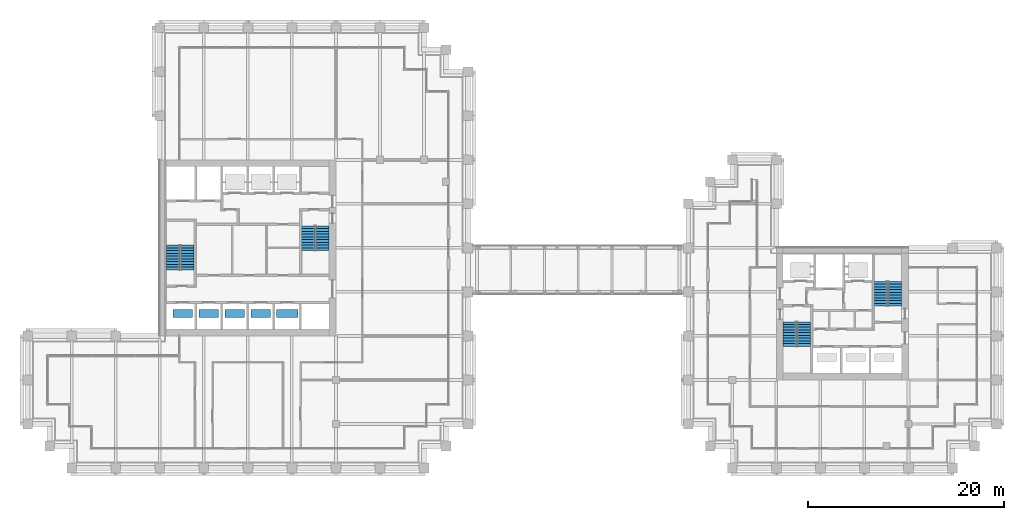
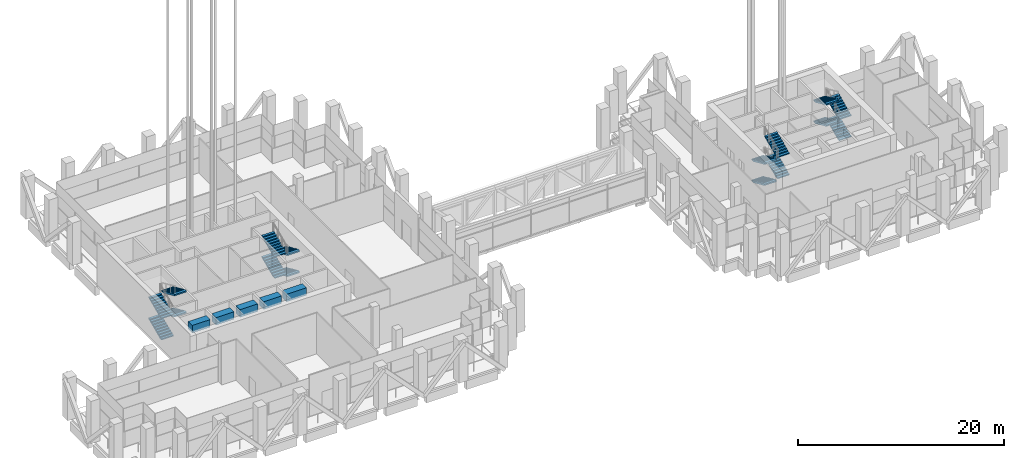
# One storey, part 37 of 48: 16 stair flights, 5 discrete accessories, 4 elements without a shape of their own.
"""IFC4 building model written with IfcOpenShell, lengths in metres."""

from ifc_helpers import new_model, si_unit, direction, frame, origin, origin_2d, place, context, subcontext, project, spatial, polyline, rectangle, outline, extrude, material, type_object, element, aggregate, save


model = new_model("IFC4")

# Units and contexts
model_context = context("Model", 3, precision=1e-05, world=origin(), true_north=direction((0.0, 1.0)))
body_context = subcontext(model_context, "Body", "Model", "MODEL_VIEW")
ifc_project = project(units=[si_unit("LENGTHUNIT", "METRE"), si_unit("AREAUNIT", "SQUARE_METRE"), si_unit("VOLUMEUNIT", "CUBIC_METRE"), si_unit("PLANEANGLEUNIT", "RADIAN"), si_unit("MASSUNIT", "GRAM", prefix="KILO")], contexts=[model_context])

# Site, building, storey
site_placement = place(None, origin())
site = spatial("IfcSite", under=ifc_project, at=site_placement, CompositionType="ELEMENT")
building_placement = place(site_placement, origin())
building = spatial("IfcBuilding", under=site, at=building_placement, Name="Altepetl Exchange Towers", CompositionType="ELEMENT")
storey_placement = place(building_placement, frame((0.0, 0.0, 138.800048828125)))
storey = spatial("IfcBuildingStorey", under=building, at=storey_placement, Name="L34 Refuge and sky lobby", CompositionType="ELEMENT", Elevation=138.800048828125)

# Stair, stair flights
ifc_material = material(Name="Concrete C40/50", Category="concrete")
stair_type = type_object("IfcStairType", Name="Exit stair 1350 flights dogleg", PredefinedType="HALF_TURN_STAIR", material=ifc_material)
stair_1_placement = place(storey_placement, origin())
stair_1 = element("IfcStair", 1, at=stair_1_placement, inside=storey, type_object=stair_type, Name="Exit stair 1", PredefinedType="HALF_TURN_STAIR")
stair_flight_type = type_object("IfcStairFlightType", Name="Stair flight 1350 wide", PredefinedType="STRAIGHT", material=ifc_material)
stair_flight_1_placement = place(storey_placement, frame((41.875, 47.25, 0.0), z_axis=(0.0, 0.0, 1.0), x_axis=(0.0, 1.0, 0.0)))
stair_flight_1 = element("IfcStairFlight", 2, at=stair_flight_1_placement, type_object=stair_flight_type, Name="ST-A1d flight 1", NumberOfRisers=10, NumberOfTreads=9, PredefinedType="STRAIGHT", RiserHeight=0.125, TreadLength=0.28, context=body_context, shape_type="SweptSolid", body=[
    extrude(outline(polyline([(0.0, 0.0), (0.0, 0.125), (0.280029296875, 0.125), (0.280029296875, 0.25), (0.56005859375, 0.25), (0.56005859375, 0.375), (0.840087890625, 0.375), (0.840087890625, 0.5), (1.1201171875, 0.5), (1.1201171875, 0.625), (1.39990234375, 0.625), (1.39990234375, 0.75), (1.679931640625, 0.75), (1.679931640625, 0.875), (1.9599609375, 0.875), (1.9599609375, 1.0), (2.239990234375, 1.0), (2.239990234375, 1.125), (2.52001953125, 1.125), (2.52001953125, 1.25), (2.52001953125, 0.9609375), (0.36767578125, 0.0), (0.0, 0.0)])), frame((0.0, 0.675048828125, 0.0), z_axis=(0.0, -1.0, 0.0), x_axis=(1.0, 0.0, 0.0)), (0.0, 0.0, 1.0), 1.35009765625),
])
stair_flight_2_placement = place(storey_placement, frame((43.324951171875, 49.77001953125, 1.25), z_axis=(0.0, 0.0, 1.0), x_axis=(0.0, -1.0, 0.0)))
stair_flight_2 = element("IfcStairFlight", 3, at=stair_flight_2_placement, type_object=stair_flight_type, Name="ST-A1d flight 2", NumberOfRisers=10, NumberOfTreads=9, PredefinedType="STRAIGHT", RiserHeight=0.125, TreadLength=0.28, context=body_context, shape_type="SweptSolid", body=[
    extrude(outline(polyline([(0.0, 0.0), (0.0, 0.125), (0.280029296875, 0.125), (0.280029296875, 0.25), (0.56005859375, 0.25), (0.56005859375, 0.375), (0.840087890625, 0.375), (0.840087890625, 0.5), (1.1201171875, 0.5), (1.1201171875, 0.625), (1.39990234375, 0.625), (1.39990234375, 0.75), (1.679931640625, 0.75), (1.679931640625, 0.875), (1.9599609375, 0.875), (1.9599609375, 1.0), (2.239990234375, 1.0), (2.239990234375, 1.125), (2.52001953125, 1.125), (2.52001953125, 1.25), (2.52001953125, 0.9609375), (0.36767578125, 0.0), (0.0, 0.0)])), frame((0.0, 0.675048828125, 0.0), z_axis=(0.0, -1.0, 0.0), x_axis=(1.0, 0.0, 0.0)), (0.0, 0.0, 1.0), 1.35009765625),
])
stair_flight_3_placement = place(storey_placement, frame((41.875, 47.25, 2.5), z_axis=(0.0, 0.0, 1.0), x_axis=(0.0, 1.0, 0.0)))
stair_flight_3 = element("IfcStairFlight", 4, at=stair_flight_3_placement, type_object=stair_flight_type, Name="ST-A1d flight 3", NumberOfRisers=10, NumberOfTreads=9, PredefinedType="STRAIGHT", RiserHeight=0.125, TreadLength=0.28, context=body_context, shape_type="SweptSolid", body=[
    extrude(outline(polyline([(0.0, 0.0), (0.0, 0.125), (0.280029296875, 0.125), (0.280029296875, 0.25), (0.56005859375, 0.25), (0.56005859375, 0.375), (0.840087890625, 0.375), (0.840087890625, 0.5), (1.1201171875, 0.5), (1.1201171875, 0.625), (1.39990234375, 0.625), (1.39990234375, 0.75), (1.679931640625, 0.75), (1.679931640625, 0.875), (1.9599609375, 0.875), (1.9599609375, 1.0), (2.239990234375, 1.0), (2.239990234375, 1.125), (2.52001953125, 1.125), (2.52001953125, 1.25), (2.52001953125, 0.9609375), (0.36767578125, 0.0), (0.0, 0.0)])), frame((0.0, 0.675048828125, 0.0), z_axis=(0.0, -1.0, 0.0), x_axis=(1.0, 0.0, 0.0)), (0.0, 0.0, 1.0), 1.35009765625),
])
stair_flight_4_placement = place(storey_placement, frame((43.324951171875, 49.77001953125, 3.75), z_axis=(0.0, 0.0, 1.0), x_axis=(0.0, -1.0, 0.0)))
stair_flight_4 = element("IfcStairFlight", 5, at=stair_flight_4_placement, type_object=stair_flight_type, Name="ST-A1d flight 4", NumberOfRisers=10, NumberOfTreads=9, PredefinedType="STRAIGHT", RiserHeight=0.125, TreadLength=0.28, context=body_context, shape_type="SweptSolid", body=[
    extrude(outline(polyline([(0.0, 0.0), (0.0, 0.125), (0.280029296875, 0.125), (0.280029296875, 0.25), (0.56005859375, 0.25), (0.56005859375, 0.375), (0.840087890625, 0.375), (0.840087890625, 0.5), (1.1201171875, 0.5), (1.1201171875, 0.625), (1.39990234375, 0.625), (1.39990234375, 0.75), (1.679931640625, 0.75), (1.679931640625, 0.875), (1.9599609375, 0.875), (1.9599609375, 1.0), (2.239990234375, 1.0), (2.239990234375, 1.125), (2.52001953125, 1.125), (2.52001953125, 1.25), (2.52001953125, 0.9609375), (0.36767578125, 0.0), (0.0, 0.0)])), frame((0.0, 0.675048828125, 0.0), z_axis=(0.0, -1.0, 0.0), x_axis=(1.0, 0.0, 0.0)), (0.0, 0.0, 1.0), 1.35009765625),
])
aggregate(stair_1, [stair_flight_1, stair_flight_2, stair_flight_3, stair_flight_4])

stair_2_placement = place(storey_placement, origin())
stair_2 = element("IfcStair", 6, at=stair_2_placement, inside=storey, type_object=stair_type, Name="Exit stair 2", PredefinedType="HALF_TURN_STAIR")
stair_flight_5_placement = place(storey_placement, frame((57.125, 51.75, 0.0), z_axis=(0.0, 0.0, 1.0), x_axis=(0.0, -1.0, 0.0)))
stair_flight_5 = element("IfcStairFlight", 7, at=stair_flight_5_placement, type_object=stair_flight_type, Name="ST-A2d flight 1", NumberOfRisers=10, NumberOfTreads=9, PredefinedType="STRAIGHT", RiserHeight=0.125, TreadLength=0.28, context=body_context, shape_type="SweptSolid", body=[
    extrude(outline(polyline([(0.0, 0.0), (0.0, 0.125), (0.280029296875, 0.125), (0.280029296875, 0.25), (0.56005859375, 0.25), (0.56005859375, 0.375), (0.840087890625, 0.375), (0.840087890625, 0.5), (1.1201171875, 0.5), (1.1201171875, 0.625), (1.39990234375, 0.625), (1.39990234375, 0.75), (1.679931640625, 0.75), (1.679931640625, 0.875), (1.9599609375, 0.875), (1.9599609375, 1.0), (2.239990234375, 1.0), (2.239990234375, 1.125), (2.52001953125, 1.125), (2.52001953125, 1.25), (2.52001953125, 0.9609375), (0.36767578125, 0.0), (0.0, 0.0)])), frame((0.0, 0.675048828125, 0.0), z_axis=(0.0, -1.0, 0.0), x_axis=(1.0, 0.0, 0.0)), (0.0, 0.0, 1.0), 1.35009765625),
])
stair_flight_6_placement = place(storey_placement, frame((55.675048828125, 49.22998046875, 1.25), z_axis=(0.0, 0.0, 1.0), x_axis=(0.0, 1.0, 0.0)))
stair_flight_6 = element("IfcStairFlight", 8, at=stair_flight_6_placement, type_object=stair_flight_type, Name="ST-A2d flight 2", NumberOfRisers=10, NumberOfTreads=9, PredefinedType="STRAIGHT", RiserHeight=0.125, TreadLength=0.28, context=body_context, shape_type="SweptSolid", body=[
    extrude(outline(polyline([(0.0, 0.0), (0.0, 0.125), (0.280029296875, 0.125), (0.280029296875, 0.25), (0.56005859375, 0.25), (0.56005859375, 0.375), (0.840087890625, 0.375), (0.840087890625, 0.5), (1.1201171875, 0.5), (1.1201171875, 0.625), (1.39990234375, 0.625), (1.39990234375, 0.75), (1.679931640625, 0.75), (1.679931640625, 0.875), (1.9599609375, 0.875), (1.9599609375, 1.0), (2.239990234375, 1.0), (2.239990234375, 1.125), (2.52001953125, 1.125), (2.52001953125, 1.25), (2.52001953125, 0.9609375), (0.36767578125, 0.0), (0.0, 0.0)])), frame((0.0, 0.675048828125, 0.0), z_axis=(0.0, -1.0, 0.0), x_axis=(1.0, 0.0, 0.0)), (0.0, 0.0, 1.0), 1.35009765625),
])
stair_flight_7_placement = place(storey_placement, frame((57.125, 51.75, 2.5), z_axis=(0.0, 0.0, 1.0), x_axis=(0.0, -1.0, 0.0)))
stair_flight_7 = element("IfcStairFlight", 9, at=stair_flight_7_placement, type_object=stair_flight_type, Name="ST-A2d flight 3", NumberOfRisers=10, NumberOfTreads=9, PredefinedType="STRAIGHT", RiserHeight=0.125, TreadLength=0.28, context=body_context, shape_type="SweptSolid", body=[
    extrude(outline(polyline([(0.0, 0.0), (0.0, 0.125), (0.280029296875, 0.125), (0.280029296875, 0.25), (0.56005859375, 0.25), (0.56005859375, 0.375), (0.840087890625, 0.375), (0.840087890625, 0.5), (1.1201171875, 0.5), (1.1201171875, 0.625), (1.39990234375, 0.625), (1.39990234375, 0.75), (1.679931640625, 0.75), (1.679931640625, 0.875), (1.9599609375, 0.875), (1.9599609375, 1.0), (2.239990234375, 1.0), (2.239990234375, 1.125), (2.52001953125, 1.125), (2.52001953125, 1.25), (2.52001953125, 0.9609375), (0.36767578125, 0.0), (0.0, 0.0)])), frame((0.0, 0.675048828125, 0.0), z_axis=(0.0, -1.0, 0.0), x_axis=(1.0, 0.0, 0.0)), (0.0, 0.0, 1.0), 1.35009765625),
])
stair_flight_8_placement = place(storey_placement, frame((55.675048828125, 49.22998046875, 3.75), z_axis=(0.0, 0.0, 1.0), x_axis=(0.0, 1.0, 0.0)))
stair_flight_8 = element("IfcStairFlight", 10, at=stair_flight_8_placement, type_object=stair_flight_type, Name="ST-A2d flight 4", NumberOfRisers=10, NumberOfTreads=9, PredefinedType="STRAIGHT", RiserHeight=0.125, TreadLength=0.28, context=body_context, shape_type="SweptSolid", body=[
    extrude(outline(polyline([(0.0, 0.0), (0.0, 0.125), (0.280029296875, 0.125), (0.280029296875, 0.25), (0.56005859375, 0.25), (0.56005859375, 0.375), (0.840087890625, 0.375), (0.840087890625, 0.5), (1.1201171875, 0.5), (1.1201171875, 0.625), (1.39990234375, 0.625), (1.39990234375, 0.75), (1.679931640625, 0.75), (1.679931640625, 0.875), (1.9599609375, 0.875), (1.9599609375, 1.0), (2.239990234375, 1.0), (2.239990234375, 1.125), (2.52001953125, 1.125), (2.52001953125, 1.25), (2.52001953125, 0.9609375), (0.36767578125, 0.0), (0.0, 0.0)])), frame((0.0, 0.675048828125, 0.0), z_axis=(0.0, -1.0, 0.0), x_axis=(1.0, 0.0, 0.0)), (0.0, 0.0, 1.0), 1.35009765625),
])
aggregate(stair_2, [stair_flight_5, stair_flight_6, stair_flight_7, stair_flight_8])

stair_3_placement = place(storey_placement, origin())
stair_3 = element("IfcStair", 11, at=stair_3_placement, inside=storey, type_object=stair_type, Name="Exit stair 1", PredefinedType="HALF_TURN_STAIR")
stair_flight_9_placement = place(storey_placement, frame((104.875, 41.949951171875, 0.0), z_axis=(0.0, 0.0, 1.0), x_axis=(0.0, -1.0, 0.0)))
stair_flight_9 = element("IfcStairFlight", 12, at=stair_flight_9_placement, type_object=stair_flight_type, Name="ST-B1d flight 1", NumberOfRisers=10, NumberOfTreads=9, PredefinedType="STRAIGHT", RiserHeight=0.125, TreadLength=0.28, context=body_context, shape_type="SweptSolid", body=[
    extrude(outline(polyline([(0.0, 0.0), (0.0, 0.125), (0.280029296875, 0.125), (0.280029296875, 0.25), (0.56005859375, 0.25), (0.56005859375, 0.375), (0.840087890625, 0.375), (0.840087890625, 0.5), (1.1201171875, 0.5), (1.1201171875, 0.625), (1.39990234375, 0.625), (1.39990234375, 0.75), (1.679931640625, 0.75), (1.679931640625, 0.875), (1.9599609375, 0.875), (1.9599609375, 1.0), (2.239990234375, 1.0), (2.239990234375, 1.125), (2.52001953125, 1.125), (2.52001953125, 1.25), (2.52001953125, 0.9609375), (0.36767578125, 0.0), (0.0, 0.0)])), frame((0.0, 0.675048828125, 0.0), z_axis=(0.0, -1.0, 0.0), x_axis=(1.0, 0.0, 0.0)), (0.0, 0.0, 1.0), 1.35009765625),
])
stair_flight_10_placement = place(storey_placement, frame((106.324951171875, 39.429931640625, 1.25), z_axis=(0.0, 0.0, 1.0), x_axis=(0.0, 1.0, 0.0)))
stair_flight_10 = element("IfcStairFlight", 13, at=stair_flight_10_placement, type_object=stair_flight_type, Name="ST-B1d flight 2", NumberOfRisers=10, NumberOfTreads=9, PredefinedType="STRAIGHT", RiserHeight=0.125, TreadLength=0.28, context=body_context, shape_type="SweptSolid", body=[
    extrude(outline(polyline([(0.0, 0.0), (0.0, 0.125), (0.280029296875, 0.125), (0.280029296875, 0.25), (0.56005859375, 0.25), (0.56005859375, 0.375), (0.840087890625, 0.375), (0.840087890625, 0.5), (1.1201171875, 0.5), (1.1201171875, 0.625), (1.39990234375, 0.625), (1.39990234375, 0.75), (1.679931640625, 0.75), (1.679931640625, 0.875), (1.9599609375, 0.875), (1.9599609375, 1.0), (2.239990234375, 1.0), (2.239990234375, 1.125), (2.52001953125, 1.125), (2.52001953125, 1.25), (2.52001953125, 0.9609375), (0.36767578125, 0.0), (0.0, 0.0)])), frame((0.0, 0.675048828125, 0.0), z_axis=(0.0, -1.0, 0.0), x_axis=(1.0, 0.0, 0.0)), (0.0, 0.0, 1.0), 1.35009765625),
])
stair_flight_11_placement = place(storey_placement, frame((104.875, 41.949951171875, 2.5), z_axis=(0.0, 0.0, 1.0), x_axis=(0.0, -1.0, 0.0)))
stair_flight_11 = element("IfcStairFlight", 14, at=stair_flight_11_placement, type_object=stair_flight_type, Name="ST-B1d flight 3", NumberOfRisers=10, NumberOfTreads=9, PredefinedType="STRAIGHT", RiserHeight=0.125, TreadLength=0.28, context=body_context, shape_type="SweptSolid", body=[
    extrude(outline(polyline([(0.0, 0.0), (0.0, 0.125), (0.280029296875, 0.125), (0.280029296875, 0.25), (0.56005859375, 0.25), (0.56005859375, 0.375), (0.840087890625, 0.375), (0.840087890625, 0.5), (1.1201171875, 0.5), (1.1201171875, 0.625), (1.39990234375, 0.625), (1.39990234375, 0.75), (1.679931640625, 0.75), (1.679931640625, 0.875), (1.9599609375, 0.875), (1.9599609375, 1.0), (2.239990234375, 1.0), (2.239990234375, 1.125), (2.52001953125, 1.125), (2.52001953125, 1.25), (2.52001953125, 0.9609375), (0.36767578125, 0.0), (0.0, 0.0)])), frame((0.0, 0.675048828125, 0.0), z_axis=(0.0, -1.0, 0.0), x_axis=(1.0, 0.0, 0.0)), (0.0, 0.0, 1.0), 1.35009765625),
])
stair_flight_12_placement = place(storey_placement, frame((106.324951171875, 39.429931640625, 3.75), z_axis=(0.0, 0.0, 1.0), x_axis=(0.0, 1.0, 0.0)))
stair_flight_12 = element("IfcStairFlight", 15, at=stair_flight_12_placement, type_object=stair_flight_type, Name="ST-B1d flight 4", NumberOfRisers=10, NumberOfTreads=9, PredefinedType="STRAIGHT", RiserHeight=0.125, TreadLength=0.28, context=body_context, shape_type="SweptSolid", body=[
    extrude(outline(polyline([(0.0, 0.0), (0.0, 0.125), (0.280029296875, 0.125), (0.280029296875, 0.25), (0.56005859375, 0.25), (0.56005859375, 0.375), (0.840087890625, 0.375), (0.840087890625, 0.5), (1.1201171875, 0.5), (1.1201171875, 0.625), (1.39990234375, 0.625), (1.39990234375, 0.75), (1.679931640625, 0.75), (1.679931640625, 0.875), (1.9599609375, 0.875), (1.9599609375, 1.0), (2.239990234375, 1.0), (2.239990234375, 1.125), (2.52001953125, 1.125), (2.52001953125, 1.25), (2.52001953125, 0.9609375), (0.36767578125, 0.0), (0.0, 0.0)])), frame((0.0, 0.675048828125, 0.0), z_axis=(0.0, -1.0, 0.0), x_axis=(1.0, 0.0, 0.0)), (0.0, 0.0, 1.0), 1.35009765625),
])
aggregate(stair_3, [stair_flight_9, stair_flight_10, stair_flight_11, stair_flight_12])

stair_4_placement = place(storey_placement, origin())
stair_4 = element("IfcStair", 16, at=stair_4_placement, inside=storey, type_object=stair_type, Name="Exit stair 2", PredefinedType="HALF_TURN_STAIR")
stair_flight_13_placement = place(storey_placement, frame((115.625, 43.550048828125, 0.0), z_axis=(0.0, 0.0, 1.0), x_axis=(0.0, 1.0, 0.0)))
stair_flight_13 = element("IfcStairFlight", 17, at=stair_flight_13_placement, type_object=stair_flight_type, Name="ST-B2d flight 1", NumberOfRisers=10, NumberOfTreads=9, PredefinedType="STRAIGHT", RiserHeight=0.125, TreadLength=0.28, context=body_context, shape_type="SweptSolid", body=[
    extrude(outline(polyline([(0.0, 0.0), (0.0, 0.125), (0.280029296875, 0.125), (0.280029296875, 0.25), (0.56005859375, 0.25), (0.56005859375, 0.375), (0.840087890625, 0.375), (0.840087890625, 0.5), (1.1201171875, 0.5), (1.1201171875, 0.625), (1.39990234375, 0.625), (1.39990234375, 0.75), (1.679931640625, 0.75), (1.679931640625, 0.875), (1.9599609375, 0.875), (1.9599609375, 1.0), (2.239990234375, 1.0), (2.239990234375, 1.125), (2.52001953125, 1.125), (2.52001953125, 1.25), (2.52001953125, 0.9609375), (0.36767578125, 0.0), (0.0, 0.0)])), frame((0.0, 0.675048828125, 0.0), z_axis=(0.0, -1.0, 0.0), x_axis=(1.0, 0.0, 0.0)), (0.0, 0.0, 1.0), 1.35009765625),
])
stair_flight_14_placement = place(storey_placement, frame((114.175048828125, 46.070068359375, 1.25), z_axis=(0.0, 0.0, 1.0), x_axis=(0.0, -1.0, 0.0)))
stair_flight_14 = element("IfcStairFlight", 18, at=stair_flight_14_placement, type_object=stair_flight_type, Name="ST-B2d flight 2", NumberOfRisers=10, NumberOfTreads=9, PredefinedType="STRAIGHT", RiserHeight=0.125, TreadLength=0.28, context=body_context, shape_type="SweptSolid", body=[
    extrude(outline(polyline([(0.0, 0.0), (0.0, 0.125), (0.280029296875, 0.125), (0.280029296875, 0.25), (0.56005859375, 0.25), (0.56005859375, 0.375), (0.840087890625, 0.375), (0.840087890625, 0.5), (1.1201171875, 0.5), (1.1201171875, 0.625), (1.39990234375, 0.625), (1.39990234375, 0.75), (1.679931640625, 0.75), (1.679931640625, 0.875), (1.9599609375, 0.875), (1.9599609375, 1.0), (2.239990234375, 1.0), (2.239990234375, 1.125), (2.52001953125, 1.125), (2.52001953125, 1.25), (2.52001953125, 0.9609375), (0.36767578125, 0.0), (0.0, 0.0)])), frame((0.0, 0.675048828125, 0.0), z_axis=(0.0, -1.0, 0.0), x_axis=(1.0, 0.0, 0.0)), (0.0, 0.0, 1.0), 1.35009765625),
])
stair_flight_15_placement = place(storey_placement, frame((115.625, 43.550048828125, 2.5), z_axis=(0.0, 0.0, 1.0), x_axis=(0.0, 1.0, 0.0)))
stair_flight_15 = element("IfcStairFlight", 19, at=stair_flight_15_placement, type_object=stair_flight_type, Name="ST-B2d flight 3", NumberOfRisers=10, NumberOfTreads=9, PredefinedType="STRAIGHT", RiserHeight=0.125, TreadLength=0.28, context=body_context, shape_type="SweptSolid", body=[
    extrude(outline(polyline([(0.0, 0.0), (0.0, 0.125), (0.280029296875, 0.125), (0.280029296875, 0.25), (0.56005859375, 0.25), (0.56005859375, 0.375), (0.840087890625, 0.375), (0.840087890625, 0.5), (1.1201171875, 0.5), (1.1201171875, 0.625), (1.39990234375, 0.625), (1.39990234375, 0.75), (1.679931640625, 0.75), (1.679931640625, 0.875), (1.9599609375, 0.875), (1.9599609375, 1.0), (2.239990234375, 1.0), (2.239990234375, 1.125), (2.52001953125, 1.125), (2.52001953125, 1.25), (2.52001953125, 0.9609375), (0.36767578125, 0.0), (0.0, 0.0)])), frame((0.0, 0.675048828125, 0.0), z_axis=(0.0, -1.0, 0.0), x_axis=(1.0, 0.0, 0.0)), (0.0, 0.0, 1.0), 1.35009765625),
])
stair_flight_16_placement = place(storey_placement, frame((114.175048828125, 46.070068359375, 3.75), z_axis=(0.0, 0.0, 1.0), x_axis=(0.0, -1.0, 0.0)))
stair_flight_16 = element("IfcStairFlight", 20, at=stair_flight_16_placement, type_object=stair_flight_type, Name="ST-B2d flight 4", NumberOfRisers=10, NumberOfTreads=9, PredefinedType="STRAIGHT", RiserHeight=0.125, TreadLength=0.28, context=body_context, shape_type="SweptSolid", body=[
    extrude(outline(polyline([(0.0, 0.0), (0.0, 0.125), (0.280029296875, 0.125), (0.280029296875, 0.25), (0.56005859375, 0.25), (0.56005859375, 0.375), (0.840087890625, 0.375), (0.840087890625, 0.5), (1.1201171875, 0.5), (1.1201171875, 0.625), (1.39990234375, 0.625), (1.39990234375, 0.75), (1.679931640625, 0.75), (1.679931640625, 0.875), (1.9599609375, 0.875), (1.9599609375, 1.0), (2.239990234375, 1.0), (2.239990234375, 1.125), (2.52001953125, 1.125), (2.52001953125, 1.25), (2.52001953125, 0.9609375), (0.36767578125, 0.0), (0.0, 0.0)])), frame((0.0, 0.675048828125, 0.0), z_axis=(0.0, -1.0, 0.0), x_axis=(1.0, 0.0, 0.0)), (0.0, 0.0, 1.0), 1.35009765625),
])
aggregate(stair_4, [stair_flight_13, stair_flight_14, stair_flight_15, stair_flight_16])

# Discrete accessories
for number, where, name in (
    (21, (42.833251953125, 42.800048828125, 3.550048828125), "Lift machine P1"),
    (22, (45.5, 42.800048828125, 3.550048828125), "Lift machine P2"),
    (23, (48.166748046875, 42.800048828125, 3.550048828125), "Lift machine P3"),
    (24, (50.833251953125, 42.800048828125, 3.550048828125), "Lift machine P4"),
):
    element("IfcDiscreteAccessory", number, at=place(storey_placement, frame(where)), inside=storey, Name=name, ObjectType="LIFT MACHINE", PredefinedType="USERDEFINED", context=body_context, shape_type="SweptSolid", body=[
        extrude(rectangle(XDim=2.0, YDim=0.800048828125, at=origin_2d()), origin(), (0.0, 0.0, 1.0), 0.89990234375),
    ])
discrete_accessory_placement = place(storey_placement, frame((53.5, 42.800048828125, 3.550048828125)))
element("IfcDiscreteAccessory", 25, at=discrete_accessory_placement, inside=storey, Name="Lift machine SH1", ObjectType="LIFT MACHINE", PredefinedType="USERDEFINED", context=body_context, shape_type="SweptSolid", body=[
    extrude(rectangle(XDim=2.199951171875, YDim=0.800048828125, at=origin_2d()), origin(), (0.0, 0.0, 1.0), 0.89990234375),
])

save(model, "model.ifc")
